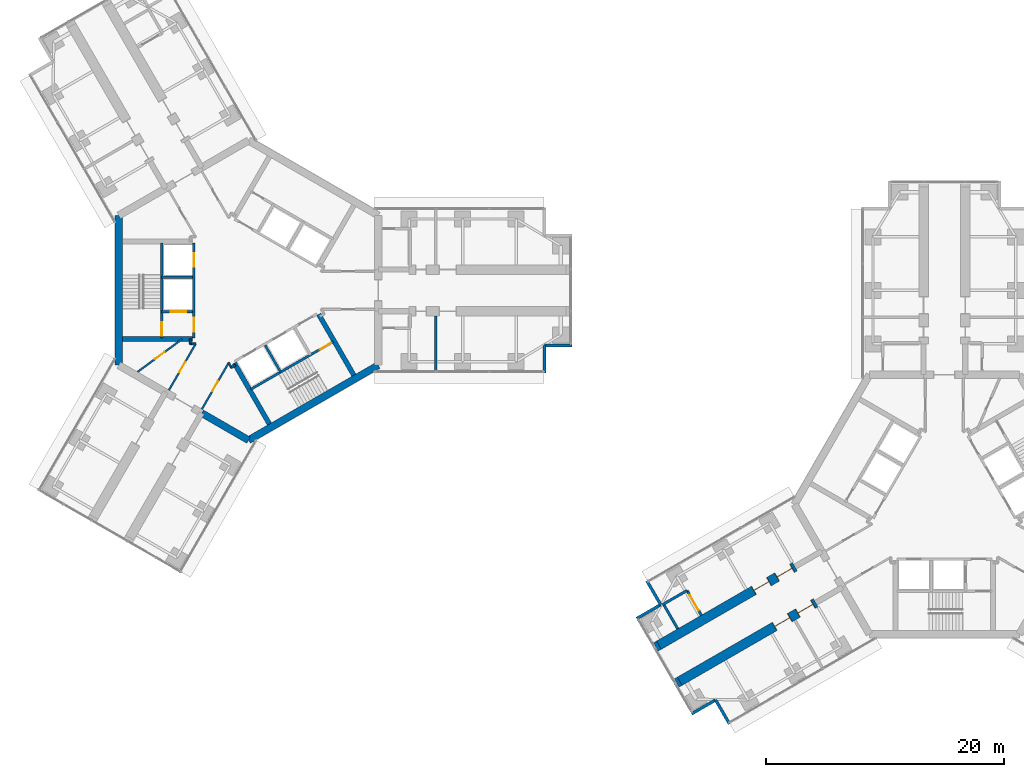
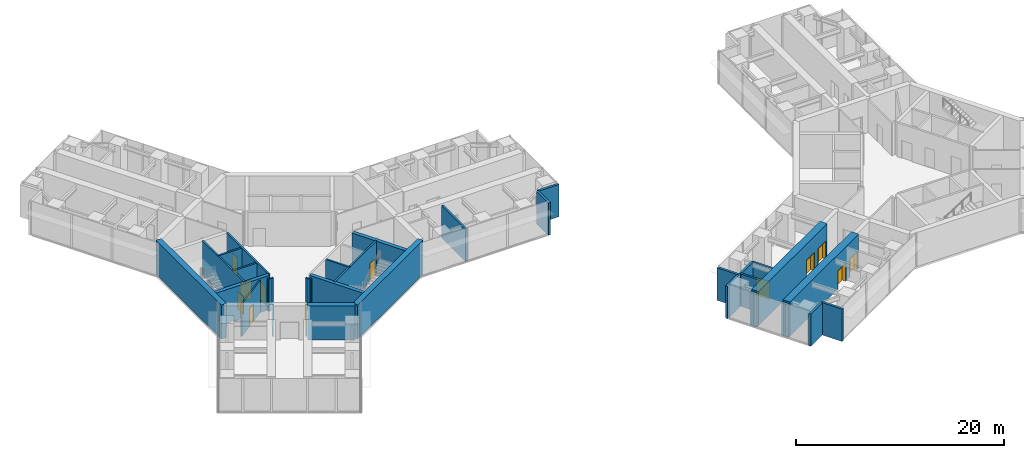
# One storey, part 15 of 21: 33 walls, 13 doors, 13 openings.
"""IFC4 building model written with IfcOpenShell, lengths in metres."""

from ifc_helpers import new_model, si_unit, direction, frame, frame_2d, origin, place, context, subcontext, project, spatial, rectangle, extrude, material, layer, layer_set, type_object, element, fill, save


model = new_model("IFC4")

# Units and contexts
model_context = context("Model", 3, precision=1e-05, world=origin(), true_north=direction((0.0, 1.0)))
body_context = subcontext(model_context, "Body", "Model", "MODEL_VIEW")
ifc_project = project(units=[si_unit("LENGTHUNIT", "METRE"), si_unit("AREAUNIT", "SQUARE_METRE"), si_unit("VOLUMEUNIT", "CUBIC_METRE"), si_unit("PLANEANGLEUNIT", "RADIAN"), si_unit("MASSUNIT", "GRAM", prefix="KILO")], contexts=[model_context])

# Site, building, storey
site_placement = place(None, origin())
site = spatial("IfcSite", under=ifc_project, at=site_placement, CompositionType="ELEMENT")
building_placement = place(site_placement, origin())
building = spatial("IfcBuilding", under=site, at=building_placement, Name="Upepo Twin Towers", CompositionType="ELEMENT")
storey_placement = place(building_placement, frame((0.0, 0.0, 101.5)))
storey = spatial("IfcBuildingStorey", under=building, at=storey_placement, Name="L24", CompositionType="ELEMENT", Elevation=101.5)

# Walls
ifc_material_1 = material(Name="Concrete blockwork, plastered both faces", Category="masonry")
ifc_layer_1 = layer(ifc_material_1, 0.215087890625)
ifc_layer_set_1 = layer_set([ifc_layer_1], Name="Blockwork partition 215")
wall_type_1 = type_object("IfcWallType", Name="Blockwork partition 215", PredefinedType="PARTITIONING", material=ifc_layer_set_1)
wall_1_placement = place(storey_placement, frame((15.75, -2.14990234375, 0.0), z_axis=(0.0, 0.0, 1.0), x_axis=(0.0, -1.0, 0.0)))
element("IfcWall", 1, at=wall_1_placement, inside=storey, type_object=wall_type_1, Name="T1 partition AR at 15.75", PredefinedType="PARTITIONING", context=body_context, shape_type="SweptSolid", body=[
    extrude(rectangle(XDim=4.60009765625, YDim=0.215087890625, at=frame_2d((2.300048828125, 0.0))), origin(), (0.0, 0.0, 1.0), 3.800048828125),
])
wall_2_placement = place(storey_placement, frame((36.869384765625, -25.234619140625, 0.0), z_axis=(0.0, 0.0, 1.0), x_axis=(-0.866050077142, -0.499957262057, 0.0)))
element("IfcWall", 2, at=wall_2_placement, inside=storey, type_object=wall_type_1, Name="T2 inner room partition BR at 22.35", PredefinedType="PARTITIONING", context=body_context, shape_type="SweptSolid", body=[
    extrude(rectangle(XDim=2.400146484375, YDim=0.215087890625, at=frame_2d((1.2001953125, 0.0))), origin(), (0.0, 0.0, 1.0), 3.800048828125),
])

# Wall, opening, door
wall_3_placement = place(storey_placement, frame((38.0693359375, -27.31298828125, 0.0), z_axis=(0.0, 0.0, 1.0), x_axis=(-0.500001309137, 0.866024647952, 0.0)))
wall_3 = element("IfcWall", 3, at=wall_3_placement, inside=storey, type_object=wall_type_1, Name="T2 inner room partition BR end at 22.35", PredefinedType="PARTITIONING", context=body_context, shape_type="SweptSolid", body=[
    extrude(rectangle(XDim=2.39990234375, YDim=0.215087890625, at=frame_2d((1.199951171875, 0.0))), origin(), (0.0, 0.0, 1.0), 3.800048828125),
])
opening_1_placement = place(wall_3_placement, frame((0.449951171875, 0.0, 0.0)))
opening_1 = element("IfcOpeningElement", 4, at=opening_1_placement, cuts=wall_3, Name="Opening D13", PredefinedType="OPENING", context=body_context, shape_type="SweptSolid", body=[
    extrude(rectangle(XDim=1.5, YDim=2.10009765625, at=frame_2d((0.75, 1.050048828125))), frame((0.0, 0.117431640625, 0.0), z_axis=(0.0, -1.0, 0.0), x_axis=(1.0, 0.0, 0.0)), (0.0, 0.0, 1.0), 0.235107421875),
])
ifc_material_2 = material(Name="Timber doorset", Category="wood")
door_type_1 = type_object("IfcDoorType", Name="Double door 1500 FD30", OperationType="DOUBLE_DOOR_SINGLE_SWING", PredefinedType="DOOR", material=ifc_material_2)
door_1_placement = place(opening_1_placement, origin())
door_1 = element("IfcDoor", 5, at=door_1_placement, inside=storey, type_object=door_type_1, Name="T2 L24 inner room door", OperationType="DOUBLE_DOOR_SINGLE_SWING", OverallHeight=2.10009765625, OverallWidth=1.5, PredefinedType="DOOR", context=body_context, shape_type="SweptSolid", body=[
    extrude(rectangle(XDim=1.5, YDim=2.10009765625, at=frame_2d((0.75, 1.050048828125))), frame((0.0, 0.02490234375, 0.0), z_axis=(0.0, -1.0, 0.0), x_axis=(1.0, 0.0, 0.0)), (0.0, 0.0, 1.0), 0.050048828125),
])
fill(opening_1, door_1)

# Walls
wall_4_placement = place(storey_placement, frame((36.083984375, -28.459228515625, 0.0), z_axis=(0.0, 0.0, 1.0), x_axis=(-0.500001309137, 0.866024647952, 0.0)))
element("IfcWall", 6, at=wall_4_placement, inside=storey, type_object=wall_type_1, Name="T2 inner room partition BR end at 24.75", PredefinedType="PARTITIONING", context=body_context, shape_type="SweptSolid", body=[
    extrude(rectangle(XDim=2.39990234375, YDim=0.215087890625, at=frame_2d((1.199951171875, 0.0))), origin(), (0.0, 0.0, 1.0), 3.800048828125),
])
ifc_material_3 = material(Name="Dense concrete blockwork", Category="masonry")
ifc_layer_2 = layer(ifc_material_3, 0.800048828125)
ifc_layer_set_2 = layer_set([ifc_layer_2], Name="Buttress closer 800, blockwork with fire-stopping to the curtain wall")
wall_type_2 = type_object("IfcWallType", Name="Buttress closer 800, blockwork with fire-stopping to the curtain wall", PredefinedType="PARTITIONING", material=ifc_layer_set_2)
wall_5_placement = place(storey_placement, frame((36.252197265625, -32.865478515625, 0.0), z_axis=(0.0, 0.0, 1.0), x_axis=(-0.865778900179, -0.500426713919, 0.0)))
element("IfcWall", 7, at=wall_5_placement, inside=storey, type_object=wall_type_2, Name="T2 L24 wing B buttress closer L", PredefinedType="PARTITIONING", context=body_context, shape_type="SweptSolid", body=[
    extrude(rectangle(XDim=0.300048828125, YDim=0.800048828125, at=frame_2d((0.14990234375, 0.0))), origin(), (0.0, 0.0, 1.0), 3.800048828125),
])
wall_6_placement = place(storey_placement, frame((34.502197265625, -29.83447265625, 0.0), z_axis=(0.0, 0.0, 1.0), x_axis=(-0.866131372301, -0.499816412211, 0.0)))
element("IfcWall", 8, at=wall_6_placement, inside=storey, type_object=wall_type_2, Name="T2 L24 wing B buttress closer R", PredefinedType="PARTITIONING", context=body_context, shape_type="SweptSolid", body=[
    extrude(rectangle(XDim=0.2998046875, YDim=0.800048828125, at=frame_2d((0.14990234375, 0.0))), origin(), (0.0, 0.0, 1.0), 3.800048828125),
])

# Wall, openings, doors
ifc_material_4 = material(Name="Concrete C60/75", Category="concrete")
ifc_layer_3 = layer(ifc_material_4, 0.800048828125)
ifc_layer_set_3 = layer_set([ifc_layer_3], Name="Concrete C60/75")
wall_type_3 = type_object("IfcWallType", Name="Buttress wall 800 RC", PredefinedType="SHEAR", material=ifc_layer_set_3)
wall_7_placement = place(storey_placement, frame((47.68359375, -26.265625, 0.0), z_axis=(0.0, 0.0, 1.0), x_axis=(-0.866027579429, -0.499996231654, 0.0)))
wall_7 = element("IfcWall", 9, at=wall_7_placement, inside=storey, type_object=wall_type_3, Name="T2 wing B buttress wall L part 2", PredefinedType="SHEAR", context=body_context, shape_type="SweptSolid", body=[
    extrude(rectangle(XDim=13.19970703125, YDim=0.800048828125, at=frame_2d((6.599853515625, 0.0))), origin(), (0.0, 0.0, 1.0), 4.0),
])
opening_2_placement = place(wall_7_placement, frame((0.25, 0.0, 0.0)))
opening_2 = element("IfcOpeningElement", 10, at=opening_2_placement, cuts=wall_7, Name="Opening D13", PredefinedType="OPENING", context=body_context, shape_type="SweptSolid", body=[
    extrude(rectangle(XDim=1.5, YDim=2.10009765625, at=frame_2d((0.75, 1.050048828125))), frame((0.0, 0.409912109375, 0.0), z_axis=(0.0, -1.0, 0.0), x_axis=(1.0, 0.0, 0.0)), (0.0, 0.0, 1.0), 0.820068359375),
])
opening_3_placement = place(wall_7_placement, frame((2.5, 0.0, 0.0)))
opening_3 = element("IfcOpeningElement", 11, at=opening_3_placement, cuts=wall_7, Name="Opening D13", PredefinedType="OPENING", context=body_context, shape_type="SweptSolid", body=[
    extrude(rectangle(XDim=1.5, YDim=2.10009765625, at=frame_2d((0.75, 1.050048828125))), frame((0.0, 0.409912109375, 0.0), z_axis=(0.0, -1.0, 0.0), x_axis=(1.0, 0.0, 0.0)), (0.0, 0.0, 1.0), 0.820068359375),
])
door_2_placement = place(opening_2_placement, origin())
door_2 = element("IfcDoor", 12, at=door_2_placement, inside=storey, type_object=door_type_1, Name="T2 L24 tutorial room door", OperationType="DOUBLE_DOOR_SINGLE_SWING", OverallHeight=2.10009765625, OverallWidth=1.5, PredefinedType="DOOR", context=body_context, shape_type="SweptSolid", body=[
    extrude(rectangle(XDim=1.42, YDim=2.06009765625, at=frame_2d((0.75, 1.030029296875))), frame((0.0, 0.02490234375, 0.0), z_axis=(0.0, -1.0, 0.0), x_axis=(1.0, 0.0, 0.0)), (0.0, 0.0, 1.0), 0.050048828125),
    extrude(rectangle(XDim=0.04, YDim=2.10009765625, at=frame_2d((0.02001953125, 1.050048828125))), frame((0.0, 0.39990234375, 0.0), z_axis=(0.0, -1.0, 0.0), x_axis=(1.0, 0.0, 0.0)), (0.0, 0.0, 1.0), 0.799560546875),
    extrude(rectangle(XDim=0.04, YDim=2.10009765625, at=frame_2d((1.47998046875, 1.050048828125))), frame((0.0, 0.39990234375, 0.0), z_axis=(0.0, -1.0, 0.0), x_axis=(1.0, 0.0, 0.0)), (0.0, 0.0, 1.0), 0.799560546875),
    extrude(rectangle(XDim=1.42, YDim=0.04, at=frame_2d((0.75, 2.080078125))), frame((0.0, 0.39990234375, 0.0), z_axis=(0.0, -1.0, 0.0), x_axis=(1.0, 0.0, 0.0)), (0.0, 0.0, 1.0), 0.799560546875),
])
fill(opening_2, door_2)
door_3_placement = place(opening_3_placement, origin())
door_3 = element("IfcDoor", 13, at=door_3_placement, inside=storey, type_object=door_type_1, Name="T2 L24 moot court door", OperationType="DOUBLE_DOOR_SINGLE_SWING", OverallHeight=2.10009765625, OverallWidth=1.5, PredefinedType="DOOR", context=body_context, shape_type="SweptSolid", body=[
    extrude(rectangle(XDim=1.42, YDim=2.06009765625, at=frame_2d((0.75, 1.030029296875))), frame((0.0, 0.02490234375, 0.0), z_axis=(0.0, -1.0, 0.0), x_axis=(1.0, 0.0, 0.0)), (0.0, 0.0, 1.0), 0.050048828125),
    extrude(rectangle(XDim=0.04, YDim=2.10009765625, at=frame_2d((0.02001953125, 1.050048828125))), frame((0.0, 0.39990234375, 0.0), z_axis=(0.0, -1.0, 0.0), x_axis=(1.0, 0.0, 0.0)), (0.0, 0.0, 1.0), 0.799560546875),
    extrude(rectangle(XDim=0.04, YDim=2.10009765625, at=frame_2d((1.47998046875, 1.050048828125))), frame((0.0, 0.39990234375, 0.0), z_axis=(0.0, -1.0, 0.0), x_axis=(1.0, 0.0, 0.0)), (0.0, 0.0, 1.0), 0.799560546875),
    extrude(rectangle(XDim=1.42, YDim=0.04, at=frame_2d((0.75, 2.080078125))), frame((0.0, 0.39990234375, 0.0), z_axis=(0.0, -1.0, 0.0), x_axis=(1.0, 0.0, 0.0)), (0.0, 0.0, 1.0), 0.799560546875),
])
fill(opening_3, door_3)

wall_8_placement = place(storey_placement, frame((45.93359375, -23.234375, 0.0), z_axis=(0.0, 0.0, 1.0), x_axis=(-0.866019570528, -0.500010103361, 0.0)))
wall_8 = element("IfcWall", 14, at=wall_8_placement, inside=storey, type_object=wall_type_3, Name="T2 wing B buttress wall R part 2", PredefinedType="SHEAR", context=body_context, shape_type="SweptSolid", body=[
    extrude(rectangle(XDim=13.199951171875, YDim=0.800048828125, at=frame_2d((6.60009765625, 0.0))), origin(), (0.0, 0.0, 1.0), 4.0),
])
opening_4_placement = place(wall_8_placement, frame((0.25, 0.0, 0.0)))
opening_4 = element("IfcOpeningElement", 15, at=opening_4_placement, cuts=wall_8, Name="Opening D13", PredefinedType="OPENING", context=body_context, shape_type="SweptSolid", body=[
    extrude(rectangle(XDim=1.5, YDim=2.10009765625, at=frame_2d((0.75, 1.050048828125))), frame((0.0, 0.409912109375, 0.0), z_axis=(0.0, -1.0, 0.0), x_axis=(1.0, 0.0, 0.0)), (0.0, 0.0, 1.0), 0.820068359375),
])
opening_5_placement = place(wall_8_placement, frame((2.5, 0.0, 0.0)))
opening_5 = element("IfcOpeningElement", 16, at=opening_5_placement, cuts=wall_8, Name="Opening D13", PredefinedType="OPENING", context=body_context, shape_type="SweptSolid", body=[
    extrude(rectangle(XDim=1.5, YDim=2.10009765625, at=frame_2d((0.75, 1.050048828125))), frame((0.0, 0.409912109375, 0.0), z_axis=(0.0, -1.0, 0.0), x_axis=(1.0, 0.0, 0.0)), (0.0, 0.0, 1.0), 0.820068359375),
])
door_4_placement = place(opening_4_placement, origin())
door_4 = element("IfcDoor", 17, at=door_4_placement, inside=storey, type_object=door_type_1, Name="T2 L24 moot court door", OperationType="DOUBLE_DOOR_SINGLE_SWING", OverallHeight=2.10009765625, OverallWidth=1.5, PredefinedType="DOOR", context=body_context, shape_type="SweptSolid", body=[
    extrude(rectangle(XDim=1.42, YDim=2.06009765625, at=frame_2d((0.75, 1.030029296875))), frame((0.0, 0.02490234375, 0.0), z_axis=(0.0, -1.0, 0.0), x_axis=(1.0, 0.0, 0.0)), (0.0, 0.0, 1.0), 0.050048828125),
    extrude(rectangle(XDim=0.04, YDim=2.10009765625, at=frame_2d((0.02001953125, 1.050048828125))), frame((0.0, 0.39990234375, 0.0), z_axis=(0.0, -1.0, 0.0), x_axis=(1.0, 0.0, 0.0)), (0.0, 0.0, 1.0), 0.799560546875),
    extrude(rectangle(XDim=0.04, YDim=2.10009765625, at=frame_2d((1.47998046875, 1.050048828125))), frame((0.0, 0.39990234375, 0.0), z_axis=(0.0, -1.0, 0.0), x_axis=(1.0, 0.0, 0.0)), (0.0, 0.0, 1.0), 0.799560546875),
    extrude(rectangle(XDim=1.42, YDim=0.04, at=frame_2d((0.75, 2.080078125))), frame((0.0, 0.39990234375, 0.0), z_axis=(0.0, -1.0, 0.0), x_axis=(1.0, 0.0, 0.0)), (0.0, 0.0, 1.0), 0.799560546875),
])
fill(opening_4, door_4)
door_5_placement = place(opening_5_placement, origin())
door_5 = element("IfcDoor", 18, at=door_5_placement, inside=storey, type_object=door_type_1, Name="T2 L24 moot court door", OperationType="DOUBLE_DOOR_SINGLE_SWING", OverallHeight=2.10009765625, OverallWidth=1.5, PredefinedType="DOOR", context=body_context, shape_type="SweptSolid", body=[
    extrude(rectangle(XDim=1.42, YDim=2.06009765625, at=frame_2d((0.75, 1.030029296875))), frame((0.0, 0.02490234375, 0.0), z_axis=(0.0, -1.0, 0.0), x_axis=(1.0, 0.0, 0.0)), (0.0, 0.0, 1.0), 0.050048828125),
    extrude(rectangle(XDim=0.04, YDim=2.10009765625, at=frame_2d((0.02001953125, 1.050048828125))), frame((0.0, 0.39990234375, 0.0), z_axis=(0.0, -1.0, 0.0), x_axis=(1.0, 0.0, 0.0)), (0.0, 0.0, 1.0), 0.799560546875),
    extrude(rectangle(XDim=0.04, YDim=2.10009765625, at=frame_2d((1.47998046875, 1.050048828125))), frame((0.0, 0.39990234375, 0.0), z_axis=(0.0, -1.0, 0.0), x_axis=(1.0, 0.0, 0.0)), (0.0, 0.0, 1.0), 0.799560546875),
    extrude(rectangle(XDim=1.42, YDim=0.04, at=frame_2d((0.75, 2.080078125))), frame((0.0, 0.39990234375, 0.0), z_axis=(0.0, -1.0, 0.0), x_axis=(1.0, 0.0, 0.0)), (0.0, 0.0, 1.0), 0.799560546875),
])
fill(opening_5, door_5)

# Walls
ifc_material_5 = material(Name="Concrete C60/75", Category="concrete")
ifc_layer_4 = layer(ifc_material_5, 0.60009765625)
ifc_layer_set_4 = layer_set([ifc_layer_4], Name="Concrete C60/75")
wall_type_4 = type_object("IfcWallType", Name="Core wall 600 RC", PredefinedType="SHEAR", material=ifc_layer_set_4)
wall_9_placement = place(storey_placement, frame((-10.908447265625, 6.2978515625, 0.0), z_axis=(0.0, 0.0, 1.0), x_axis=(0.0, -1.0, 0.0)))
element("IfcWall", 19, at=wall_9_placement, inside=storey, type_object=wall_type_4, Name="T1 core wall 180", PredefinedType="SHEAR", context=body_context, shape_type="SweptSolid", body=[
    extrude(rectangle(XDim=12.595703125, YDim=0.60009765625, at=frame_2d((6.2978515625, 0.0))), origin(), (0.0, 0.0, 1.0), 4.0),
])
wall_10_placement = place(storey_placement, frame((-3.938720703125, -10.32177734375, 0.0), z_axis=(0.0, 0.0, 1.0), x_axis=(0.866011268655, -0.500024481964, 0.0)))
element("IfcWall", 20, at=wall_10_placement, inside=storey, type_object=wall_type_4, Name="T1 core wall 240 L", PredefinedType="SHEAR", context=body_context, shape_type="SweptSolid", body=[
    extrude(rectangle(XDim=4.548095703125, YDim=0.60009765625, at=frame_2d((2.27392578125, 0.0))), origin(), (0.0, 0.0, 1.0), 4.0),
])
wall_11_placement = place(storey_placement, frame((0.0, -12.595947265625, 0.0), z_axis=(0.0, 0.0, 1.0), x_axis=(0.866021940709, 0.500005998175, 0.0)))
element("IfcWall", 21, at=wall_11_placement, inside=storey, type_object=wall_type_4, Name="T1 core wall 300", PredefinedType="SHEAR", context=body_context, shape_type="SweptSolid", body=[
    extrude(rectangle(XDim=12.595947265625, YDim=0.60009765625, at=frame_2d((6.2978515625, 0.0))), origin(), (0.0, 0.0, 1.0), 4.0),
])
ifc_material_6 = material(Name="Blockwork with anodised aluminium cladding", Category="masonry")
ifc_layer_5 = layer(ifc_material_6, 0.25)
ifc_layer_set_5 = layer_set([ifc_layer_5], Name="Notch cladding wall 250, pale metal")
wall_type_5 = type_object("IfcWallType", Name="Notch cladding wall 250, pale metal", PredefinedType="STANDARD", material=ifc_layer_set_5)
for number, where, z_axis, x_axis, name in (
    (22, (24.875, -6.949951171875, 0.0), (0.0, 0.0, 1.0), (0.0, 1.0, 0.0), "T1 L24 wing A notch wall R1"),
    (23, (24.875, -4.625, 0.0), (0.0, 0.0, 1.0), (1.0, 0.0, 0.0), "T1 L24 wing A notch wall R2"),
    (24, (40.4326171875, -36.456298828125, 0.0), (0.0, 0.0, 1.0), (-0.500046648681, 0.865998469481, 0.0), "T2 L24 wing B notch wall L1"),
    (25, (39.27001953125, -34.44287109375, 0.0), (0.0, 0.0, 1.0), (-0.865998469481, -0.500046648681, 0.0), "T2 L24 wing B notch wall L2"),
    (26, (33.482666015625, -24.418701171875, 0.0), (0.0, 0.0, 1.0), (0.499967891604, -0.866043940782, 0.0), "T2 L24 wing B notch wall R1"),
    (27, (34.64501953125, -26.43212890625, 0.0), (0.0, 0.0, 1.0), (-0.865998469481, -0.500046648681, 0.0), "T2 L24 wing B notch wall R2"),
):
    element("IfcWall", number, at=place(storey_placement, frame(where, z_axis=z_axis, x_axis=x_axis)), inside=storey, type_object=wall_type_5, Name=name, PredefinedType="STANDARD", context=body_context, shape_type="SweptSolid", body=[
        extrude(rectangle(XDim=2.324951171875, YDim=0.25, at=frame_2d((1.16259765625, 0.0))), origin(), (0.0, 0.0, 1.0), 3.800048828125),
    ])

# Wall, openings, doors
ifc_material_7 = material(Name="Concrete C40/50", Category="concrete")
ifc_layer_6 = layer(ifc_material_7, 0.199951171875)
ifc_layer_set_6 = layer_set([ifc_layer_6], Name="Concrete C40/50")
wall_type_6 = type_object("IfcWallType", Name="Shaft wall 200 RC", PredefinedType="SHEAR", material=ifc_layer_set_6)
wall_12_placement = place(storey_placement, frame((-4.60009765625, 4.0, 0.0), z_axis=(0.0, 0.0, 1.0), x_axis=(0.0, -1.0, 0.0)))
wall_12 = element("IfcWall", 28, at=wall_12_placement, inside=storey, type_object=wall_type_6, Name="T1 core W180 front wall", PredefinedType="SHEAR", context=body_context, shape_type="SweptSolid", body=[
    extrude(rectangle(XDim=8.0, YDim=0.199951171875, at=frame_2d((4.0, 0.0))), origin(), (0.0, 0.0, 1.0), 4.0),
])
opening_6_placement = place(wall_12_placement, frame((6.300048828125, 0.0, 0.0)))
opening_6 = element("IfcOpeningElement", 29, at=opening_6_placement, cuts=wall_12, Name="Opening D4", PredefinedType="OPENING", context=body_context, shape_type="SweptSolid", body=[
    extrude(rectangle(XDim=1.199951171875, YDim=2.10009765625, at=frame_2d((0.60009765625, 1.050048828125))), frame((0.0, 0.10986328125, 0.0), z_axis=(0.0, -1.0, 0.0), x_axis=(1.0, 0.0, 0.0)), (0.0, 0.0, 1.0), 0.219970703125),
])
opening_7_placement = place(wall_12_placement, frame((0.89990234375, 0.0, 0.0)))
opening_7 = element("IfcOpeningElement", 30, at=opening_7_placement, cuts=wall_12, Name="Opening LD1", PredefinedType="OPENING", context=body_context, shape_type="SweptSolid", body=[
    extrude(rectangle(XDim=1.10009765625, YDim=2.199951171875, at=frame_2d((0.550048828125, 1.10009765625))), frame((0.0, 0.10986328125, 0.0), z_axis=(0.0, -1.0, 0.0), x_axis=(1.0, 0.0, 0.0)), (0.0, 0.0, 1.0), 0.219970703125),
])
ifc_material_8 = material(Name="Steel doorset", Category="steel")
door_type_2 = type_object("IfcDoorType", Name="Lift landing door 1100", OperationType="DOUBLE_DOOR_SLIDING", PredefinedType="DOOR", material=ifc_material_8)
door_6_placement = place(opening_7_placement, origin())
door_6 = element("IfcDoor", 31, at=door_6_placement, inside=storey, type_object=door_type_2, Name="T1 L24 lift SV1 landing door", OperationType="DOUBLE_DOOR_SLIDING", OverallHeight=2.199951171875, OverallWidth=1.10009765625, PredefinedType="DOOR", context=body_context, shape_type="SweptSolid", body=[
    extrude(rectangle(XDim=1.10009765625, YDim=2.199951171875, at=frame_2d((0.550048828125, 1.10009765625))), frame((0.0, 0.02490234375, 0.0), z_axis=(0.0, -1.0, 0.0), x_axis=(1.0, 0.0, 0.0)), (0.0, 0.0, 1.0), 0.050048828125),
])
fill(opening_7, door_6)
ifc_material_9 = material(Name="Timber doorset", Category="wood")
door_type_3 = type_object("IfcDoorType", Name="Lobby door 1200 FD60", OperationType="SINGLE_SWING_LEFT", PredefinedType="DOOR", material=ifc_material_9)
door_7_placement = place(opening_6_placement, origin())
door_7 = element("IfcDoor", 32, at=door_7_placement, inside=storey, type_object=door_type_3, Name="T1 L24 W180 lobby door", OperationType="SINGLE_SWING_RIGHT", OverallHeight=2.10009765625, OverallWidth=1.199951171875, PredefinedType="DOOR", context=body_context, shape_type="SweptSolid", body=[
    extrude(rectangle(XDim=1.199951171875, YDim=2.10009765625, at=frame_2d((0.60009765625, 1.050048828125))), frame((0.0, 0.02490234375, 0.0), z_axis=(0.0, -1.0, 0.0), x_axis=(1.0, 0.0, 0.0)), (0.0, 0.0, 1.0), 0.050048828125),
])
fill(opening_6, door_7)

# Wall
wall_13_placement = place(storey_placement, frame((-4.699951171875, 1.10009765625, 0.0), z_axis=(0.0, 0.0, 1.0), x_axis=(-1.0, 0.0, 0.0)))
element("IfcWall", 33, at=wall_13_placement, inside=storey, type_object=wall_type_6, Name="T1 core W180 shaft divider", PredefinedType="SHEAR", context=body_context, shape_type="SweptSolid", body=[
    extrude(rectangle(XDim=2.60009765625, YDim=0.199951171875, at=frame_2d((1.300048828125, 0.0))), origin(), (0.0, 0.0, 1.0), 4.0),
])

# Wall, opening, door
wall_14_placement = place(storey_placement, frame((-4.699951171875, -1.800048828125, 0.0), z_axis=(0.0, 0.0, 1.0), x_axis=(-1.0, 0.0, 0.0)))
wall_14 = element("IfcWall", 34, at=wall_14_placement, inside=storey, type_object=wall_type_6, Name="T1 core W180 lobby wall", PredefinedType="SHEAR", context=body_context, shape_type="SweptSolid", body=[
    extrude(rectangle(XDim=2.60009765625, YDim=0.199951171875, at=frame_2d((1.300048828125, 0.0))), origin(), (0.0, 0.0, 1.0), 4.0),
])
opening_8_placement = place(wall_14_placement, frame((0.550048828125, 0.0, 0.0)))
opening_8 = element("IfcOpeningElement", 35, at=opening_8_placement, cuts=wall_14, Name="Opening LD2", PredefinedType="OPENING", context=body_context, shape_type="SweptSolid", body=[
    extrude(rectangle(XDim=1.300048828125, YDim=2.199951171875, at=frame_2d((0.64990234375, 1.10009765625))), frame((0.0, 0.10986328125, 0.0), z_axis=(0.0, -1.0, 0.0), x_axis=(1.0, 0.0, 0.0)), (0.0, 0.0, 1.0), 0.219970703125),
])
ifc_material_10 = material(Name="Steel doorset", Category="steel")
door_type_4 = type_object("IfcDoorType", Name="Firefighting lift landing door 1300", OperationType="DOUBLE_DOOR_SLIDING", PredefinedType="DOOR", material=ifc_material_10)
door_8_placement = place(opening_8_placement, origin())
door_8 = element("IfcDoor", 36, at=door_8_placement, inside=storey, type_object=door_type_4, Name="T1 L24 firefighting lift landing door", OperationType="DOUBLE_DOOR_SLIDING", OverallHeight=2.199951171875, OverallWidth=1.300048828125, PredefinedType="DOOR", context=body_context, shape_type="SweptSolid", body=[
    extrude(rectangle(XDim=1.300048828125, YDim=2.199951171875, at=frame_2d((0.64990234375, 1.10009765625))), frame((0.0, 0.02490234375, 0.0), z_axis=(0.0, -1.0, 0.0), x_axis=(1.0, 0.0, 0.0)), (0.0, 0.0, 1.0), 0.050048828125),
])
fill(opening_8, door_8)

wall_15_placement = place(storey_placement, frame((-7.300048828125, 4.0, 0.0), z_axis=(0.0, 0.0, 1.0), x_axis=(0.0, -1.0, 0.0)))
wall_15 = element("IfcWall", 37, at=wall_15_placement, inside=storey, type_object=wall_type_6, Name="T1 core W180 stair wall", PredefinedType="SHEAR", context=body_context, shape_type="SweptSolid", body=[
    extrude(rectangle(XDim=8.0, YDim=0.199951171875, at=frame_2d((4.0, 0.0))), origin(), (0.0, 0.0, 1.0), 4.0),
])
opening_9_placement = place(wall_15_placement, frame((6.699951171875, 0.0, 0.0)))
opening_9 = element("IfcOpeningElement", 38, at=opening_9_placement, cuts=wall_15, Name="Opening D3", PredefinedType="OPENING", context=body_context, shape_type="SweptSolid", body=[
    extrude(rectangle(XDim=1.10009765625, YDim=2.10009765625, at=frame_2d((0.550048828125, 1.050048828125))), frame((0.0, 0.10986328125, 0.0), z_axis=(0.0, -1.0, 0.0), x_axis=(1.0, 0.0, 0.0)), (0.0, 0.0, 1.0), 0.219970703125),
])
ifc_material_11 = material(Name="Timber doorset", Category="wood")
door_type_5 = type_object("IfcDoorType", Name="Stair door 1100 FD60", OperationType="SINGLE_SWING_LEFT", PredefinedType="DOOR", material=ifc_material_11)
door_9_placement = place(opening_9_placement, origin())
door_9 = element("IfcDoor", 39, at=door_9_placement, inside=storey, type_object=door_type_5, Name="T1 L24 stair door", OperationType="SINGLE_SWING_RIGHT", OverallHeight=2.10009765625, OverallWidth=1.10009765625, PredefinedType="DOOR", context=body_context, shape_type="SweptSolid", body=[
    extrude(rectangle(XDim=1.10009765625, YDim=2.10009765625, at=frame_2d((0.550048828125, 1.050048828125))), frame((0.0, 0.02490234375, 0.0), z_axis=(0.0, -1.0, 0.0), x_axis=(1.0, 0.0, 0.0)), (0.0, 0.0, 1.0), 0.050048828125),
])
fill(opening_9, door_9)

# Wall
wall_16_placement = place(storey_placement, frame((1.3974609375, -4.620361328125, 0.0), z_axis=(0.0, 0.0, 1.0), x_axis=(0.499936506574, -0.866062058628, 0.0)))
element("IfcWall", 40, at=wall_16_placement, inside=storey, type_object=wall_type_6, Name="T1 core W300 shaft divider", PredefinedType="SHEAR", context=body_context, shape_type="SweptSolid", body=[
    extrude(rectangle(XDim=2.599853515625, YDim=0.199951171875, at=frame_2d((1.2998046875, 0.0))), origin(), (0.0, 0.0, 1.0), 4.0),
])

# Wall, opening, door
wall_17_placement = place(storey_placement, frame((0.185791015625, -8.322021484375, 0.0), z_axis=(0.0, 0.0, 1.0), x_axis=(0.866026010844, 0.49999894854, 0.0)))
wall_17 = element("IfcWall", 41, at=wall_17_placement, inside=storey, type_object=wall_type_6, Name="T1 core W300 stair wall", PredefinedType="SHEAR", context=body_context, shape_type="SweptSolid", body=[
    extrude(rectangle(XDim=8.0, YDim=0.199951171875, at=frame_2d((4.0, 0.0))), origin(), (0.0, 0.0, 1.0), 4.0),
])
opening_10_placement = place(wall_17_placement, frame((6.699951171875, 0.0, 0.0)))
opening_10 = element("IfcOpeningElement", 42, at=opening_10_placement, cuts=wall_17, Name="Opening D3", PredefinedType="OPENING", context=body_context, shape_type="SweptSolid", body=[
    extrude(rectangle(XDim=1.10009765625, YDim=2.10009765625, at=frame_2d((0.550048828125, 1.050048828125))), frame((0.0, 0.10986328125, 0.0), z_axis=(0.0, -1.0, 0.0), x_axis=(1.0, 0.0, 0.0)), (0.0, 0.0, 1.0), 0.219970703125),
])
door_10_placement = place(opening_10_placement, origin())
door_10 = element("IfcDoor", 43, at=door_10_placement, inside=storey, type_object=door_type_5, Name="T1 L24 stair door", OperationType="SINGLE_SWING_RIGHT", OverallHeight=2.10009765625, OverallWidth=1.10009765625, PredefinedType="DOOR", context=body_context, shape_type="SweptSolid", body=[
    extrude(rectangle(XDim=1.10009765625, YDim=2.10009765625, at=frame_2d((0.550048828125, 1.050048828125))), frame((0.0, 0.02490234375, 0.0), z_axis=(0.0, -1.0, 0.0), x_axis=(1.0, 0.0, 0.0)), (0.0, 0.0, 1.0), 0.050048828125),
])
fill(opening_10, door_10)

# Walls
ifc_material_12 = material(Name="Concrete C40/50", Category="concrete")
ifc_layer_7 = layer(ifc_material_12, 0.39990234375)
ifc_layer_set_7 = layer_set([ifc_layer_7], Name="Concrete C40/50")
wall_type_7 = type_object("IfcWallType", Name="Shaft wall 400 RC", PredefinedType="SHEAR", material=ifc_layer_set_7)
for number, where, z_axis, x_axis, name in (
    (44, (-4.699951171875, -4.10009765625, 0.0), (0.0, 0.0, 1.0), (-1.0, 0.0, 0.0), "T1 core W180 side wall N"),
    (45, (5.900634765625, -2.020263671875, 0.0), (0.0, 0.0, 1.0), (0.500027676417, -0.866009424208, 0.0), "T1 core W300 side wall N"),
):
    element("IfcWall", number, at=place(storey_placement, frame(where, z_axis=z_axis, x_axis=x_axis)), inside=storey, type_object=wall_type_7, Name=name, PredefinedType="SHEAR", context=body_context, shape_type="SweptSolid", body=[
        extrude(rectangle(XDim=5.908447265625, YDim=0.39990234375, at=frame_2d((2.9541015625, 0.0))), origin(), (0.0, 0.0, 1.0), 4.0),
    ])
wall_18_placement = place(storey_placement, frame((-1.20068359375, -6.120361328125, 0.0), z_axis=(0.0, 0.0, 1.0), x_axis=(0.49999668571, -0.866027317282, 0.0)))
element("IfcWall", 46, at=wall_18_placement, inside=storey, type_object=wall_type_7, Name="T1 core W300 side wall S", PredefinedType="SHEAR", context=body_context, shape_type="SweptSolid", body=[
    extrude(rectangle(XDim=5.908203125, YDim=0.39990234375, at=frame_2d((2.9541015625, 0.0))), origin(), (0.0, 0.0, 1.0), 4.0),
])
ifc_material_13 = material(Name="Gypsum board on steel studs", Category="steel")
ifc_layer_8 = layer(ifc_material_13, 0.14990234375)
ifc_layer_set_8 = layer_set([ifc_layer_8], Name="Teaching partition 150 acoustic")
wall_type_8 = type_object("IfcWallType", Name="Teaching partition 150 acoustic", PredefinedType="PARTITIONING", material=ifc_layer_set_8)
wall_19_placement = place(storey_placement, frame((-1.092041015625, -6.28857421875, 0.0), z_axis=(0.0, 0.0, 1.0), x_axis=(-0.866138304741, -0.499804398801, 0.0)))
element("IfcWall", 47, at=wall_19_placement, inside=storey, type_object=wall_type_8, Name="T1 core room partition 2", PredefinedType="PARTITIONING", context=body_context, shape_type="SweptSolid", body=[
    extrude(rectangle(XDim=0.429931640625, YDim=0.14990234375, at=frame_2d((0.21484375, 0.0))), origin(), (0.0, 0.0, 1.0), 3.800048828125),
])
wall_20_placement = place(storey_placement, frame((-1.43701171875, -6.5107421875, 0.0), z_axis=(0.0, 0.0, 1.0), x_axis=(-0.50033519877, 0.865831790172, 0.0)))
element("IfcWall", 48, at=wall_20_placement, inside=storey, type_object=wall_type_8, Name="T1 core room partition 3", PredefinedType="PARTITIONING", context=body_context, shape_type="SweptSolid", body=[
    extrude(rectangle(XDim=0.494384765625, YDim=0.14990234375, at=frame_2d((0.2470703125, 0.0))), origin(), (0.0, 0.0, 1.0), 3.800048828125),
])

# Wall, opening, door
wall_21_placement = place(storey_placement, frame((-1.664306640625, -6.082763671875, 0.0), z_axis=(0.0, 0.0, 1.0), x_axis=(-0.500032713409, -0.866006515865, 0.0)))
wall_21 = element("IfcWall", 49, at=wall_21_placement, inside=storey, type_object=wall_type_8, Name="T1 core room partition 4", PredefinedType="PARTITIONING", context=body_context, shape_type="SweptSolid", body=[
    extrude(rectangle(XDim=4.518310546875, YDim=0.14990234375, at=frame_2d((2.25927734375, 0.0))), origin(), (0.0, 0.0, 1.0), 3.800048828125),
])
opening_11_placement = place(wall_21_placement, frame((1.769287109375, 0.0, 0.0)))
opening_11 = element("IfcOpeningElement", 50, at=opening_11_placement, cuts=wall_21, Name="Opening D1", PredefinedType="OPENING", context=body_context, shape_type="SweptSolid", body=[
    extrude(rectangle(XDim=1.0, YDim=2.10009765625, at=frame_2d((0.5, 1.050048828125))), frame((0.0, 0.0849609375, 0.0), z_axis=(0.0, -1.0, 0.0), x_axis=(1.0, 0.0, 0.0)), (0.0, 0.0, 1.0), 0.169921875),
])
ifc_material_14 = material(Name="Timber doorset", Category="wood")
door_type_6 = type_object("IfcDoorType", Name="Room door 1000 FD30", OperationType="SINGLE_SWING_LEFT", PredefinedType="DOOR", material=ifc_material_14)
door_11_placement = place(opening_11_placement, origin())
door_11 = element("IfcDoor", 51, at=door_11_placement, inside=storey, type_object=door_type_6, Name="T1 L24 core room door K3", OperationType="SINGLE_SWING_RIGHT", OverallHeight=2.10009765625, OverallWidth=1.0, PredefinedType="DOOR", context=body_context, shape_type="SweptSolid", body=[
    extrude(rectangle(XDim=1.0, YDim=2.10009765625, at=frame_2d((0.5, 1.050048828125))), frame((0.0, 0.02490234375, 0.0), z_axis=(0.0, -1.0, 0.0), x_axis=(1.0, 0.0, 0.0)), (0.0, 0.0, 1.0), 0.050048828125),
])
fill(opening_11, door_11)

wall_22_placement = place(storey_placement, frame((-6.69482421875, -8.395751953125, 0.0), z_axis=(0.0, 0.0, 1.0), x_axis=(0.500009315796, 0.86602002524, 0.0)))
wall_22 = element("IfcWall", 52, at=wall_22_placement, inside=storey, type_object=wall_type_8, Name="T1 core room partition 5", PredefinedType="PARTITIONING", context=body_context, shape_type="SweptSolid", body=[
    extrude(rectangle(XDim=4.5185546875, YDim=0.14990234375, at=frame_2d((2.25927734375, 0.0))), origin(), (0.0, 0.0, 1.0), 3.800048828125),
])
opening_12_placement = place(wall_22_placement, frame((1.7490234375, 0.0, 0.0)))
opening_12 = element("IfcOpeningElement", 53, at=opening_12_placement, cuts=wall_22, Name="Opening D1", PredefinedType="OPENING", context=body_context, shape_type="SweptSolid", body=[
    extrude(rectangle(XDim=1.0, YDim=2.10009765625, at=frame_2d((0.5, 1.050048828125))), frame((0.0, 0.0849609375, 0.0), z_axis=(0.0, -1.0, 0.0), x_axis=(1.0, 0.0, 0.0)), (0.0, 0.0, 1.0), 0.169921875),
])
door_12_placement = place(opening_12_placement, origin())
door_12 = element("IfcDoor", 54, at=door_12_placement, inside=storey, type_object=door_type_6, Name="T1 L24 core room door K2", OperationType="SINGLE_SWING_LEFT", OverallHeight=2.10009765625, OverallWidth=1.0, PredefinedType="DOOR", context=body_context, shape_type="SweptSolid", body=[
    extrude(rectangle(XDim=1.0, YDim=2.10009765625, at=frame_2d((0.5, 1.050048828125))), frame((0.0, 0.02490234375, 0.0), z_axis=(0.0, -1.0, 0.0), x_axis=(1.0, 0.0, 0.0)), (0.0, 0.0, 1.0), 0.050048828125),
])
fill(opening_12, door_12)

# Walls
wall_23_placement = place(storey_placement, frame((-4.425537109375, -4.5, 0.0), z_axis=(0.0, 0.0, 1.0), x_axis=(-1.0, 0.0, 0.0)))
element("IfcWall", 55, at=wall_23_placement, inside=storey, type_object=wall_type_8, Name="T1 core room partition 6", PredefinedType="PARTITIONING", context=body_context, shape_type="SweptSolid", body=[
    extrude(rectangle(XDim=0.494384765625, YDim=0.14990234375, at=frame_2d((0.2470703125, 0.0))), origin(), (0.0, 0.0, 1.0), 3.800048828125),
])
wall_24_placement = place(storey_placement, frame((-4.89990234375, -4.52001953125, 0.0), z_axis=(0.0, 0.0, 1.0), x_axis=(0.0, 1.0, 0.0)))
element("IfcWall", 56, at=wall_24_placement, inside=storey, type_object=wall_type_8, Name="T1 core room partition 7", PredefinedType="PARTITIONING", context=body_context, shape_type="SweptSolid", body=[
    extrude(rectangle(XDim=0.429931640625, YDim=0.14990234375, at=frame_2d((0.21484375, 0.0))), origin(), (0.0, 0.0, 1.0), 3.800048828125),
])

# Wall, opening, door
wall_25_placement = place(storey_placement, frame((-5.578369140625, -4.10009765625, 0.0), z_axis=(0.0, 0.0, 1.0), x_axis=(-0.805776726519, -0.592219441593, 0.0)))
wall_25 = element("IfcWall", 57, at=wall_25_placement, inside=storey, type_object=wall_type_8, Name="T1 core room partition 19", PredefinedType="PARTITIONING", context=body_context, shape_type="SweptSolid", body=[
    extrude(rectangle(XDim=4.660888671875, YDim=0.14990234375, at=frame_2d((2.33056640625, 0.0))), origin(), (0.0, 0.0, 1.0), 3.800048828125),
])
opening_13_placement = place(wall_25_placement, frame((1.83056640625, 0.0, 0.0)))
opening_13 = element("IfcOpeningElement", 58, at=opening_13_placement, cuts=wall_25, Name="Opening D1", PredefinedType="OPENING", context=body_context, shape_type="SweptSolid", body=[
    extrude(rectangle(XDim=1.0, YDim=2.10009765625, at=frame_2d((0.5, 1.050048828125))), frame((0.0, 0.0849609375, 0.0), z_axis=(0.0, -1.0, 0.0), x_axis=(1.0, 0.0, 0.0)), (0.0, 0.0, 1.0), 0.169921875),
])
door_13_placement = place(opening_13_placement, origin())
door_13 = element("IfcDoor", 59, at=door_13_placement, inside=storey, type_object=door_type_6, Name="T1 L24 core room door K1", OperationType="SINGLE_SWING_LEFT", OverallHeight=2.10009765625, OverallWidth=1.0, PredefinedType="DOOR", context=body_context, shape_type="SweptSolid", body=[
    extrude(rectangle(XDim=1.0, YDim=2.10009765625, at=frame_2d((0.5, 1.050048828125))), frame((0.0, 0.02490234375, 0.0), z_axis=(0.0, -1.0, 0.0), x_axis=(1.0, 0.0, 0.0)), (0.0, 0.0, 1.0), 0.050048828125),
])
fill(opening_13, door_13)

save(model, "model.ifc")
